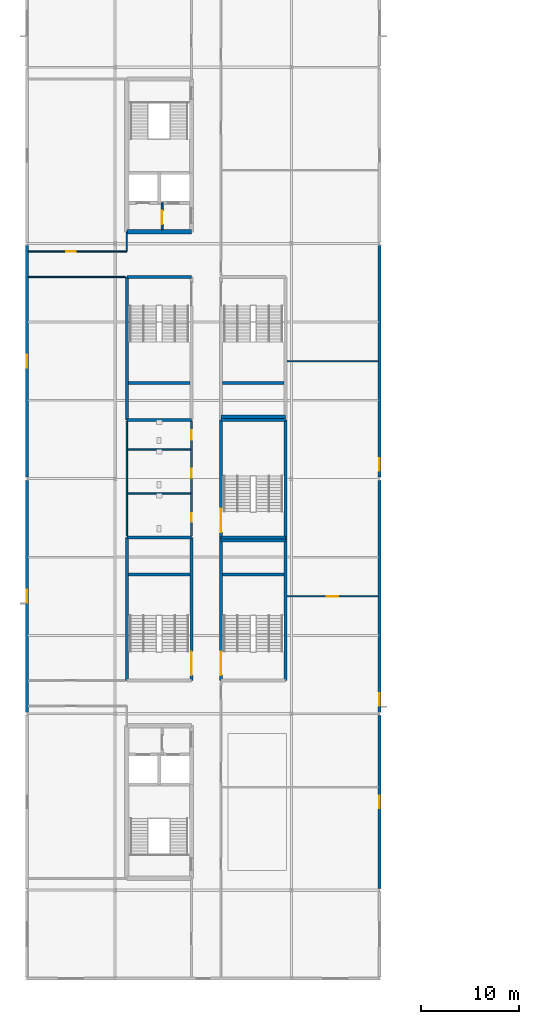
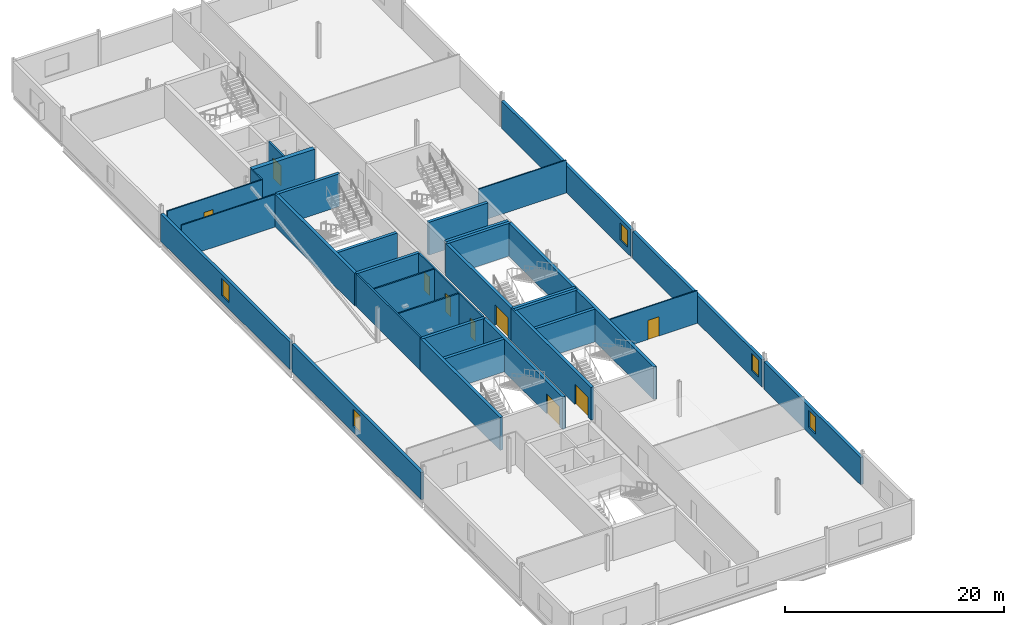
# One storey, part 12 of 27: 34 walls, 9 doors, 5 windows, 14 openings.
"""IFC4 building model written with IfcOpenShell, lengths in metres."""

import ifcopenshell
import ifcopenshell.guid

model = None  # the IFC model being written
_history = None  # IfcOwnerHistory: only IFC2X3 demands one
_inside = {}  # id of a spatial element -> (the spatial element, [elements in it])
_under = {}  # id of a project, library or spatial element -> (it, [spatial elements below it])
_declared = {}  # id of a project -> (the project, [libraries it declares])
_typed = {}  # id of a type object -> (the type object, [elements of that type])
_made_of = {}  # id of a material, layer set ... -> (it, [elements and type objects made of it])


def new_model(schema):
    """Start an empty IFC model of exactly this schema.

    Asked for "IFC4X3", IfcOpenShell would pick the latest addendum, in which some entities
    have other attributes; the version numbers below select the first issue.
    IFC2X3 requires an IfcOwnerHistory on every rooted entity: one is made here for all.
    """
    global model, _history
    if schema == "IFC4X3":
        model = ifcopenshell.file(schema_version=(4, 3, 0, 0))
    else:
        model = ifcopenshell.file(schema=schema)
    _inside.clear()
    _under.clear()
    _declared.clear()
    _typed.clear()
    _made_of.clear()
    _history = None
    if model.schema == "IFC2X3":
        org = make("IfcOrganization", Name="unknown")
        user = make(
            "IfcPersonAndOrganization",
            ThePerson=make("IfcPerson", FamilyName="unknown"),
            TheOrganization=org,
        )
        app = make(
            "IfcApplication",
            ApplicationDeveloper=org,
            Version="unknown",
            ApplicationFullName="unknown",
            ApplicationIdentifier="unknown",
        )
        _history = make(
            "IfcOwnerHistory",
            OwningUser=user,
            OwningApplication=app,
            ChangeAction="ADDED",
            CreationDate=0,
        )
    return model


def make(cls, **values):
    """One entity of the class cls with the attributes given. An attribute that is None is left unset."""
    return model.create_entity(
        cls, **{name: value for name, value in values.items() if value is not None}
    )


def rooted(cls, **values):
    """An entity with a GlobalId (a new one), such as an element, a storey or a relation."""
    return make(cls, GlobalId=ifcopenshell.guid.new(), OwnerHistory=_history, **values)


def si_unit(unit_type, name, prefix=None):
    """IfcSIUnit, for example si_unit("LENGTHUNIT", "METRE", prefix="MILLI")."""
    return make("IfcSIUnit", UnitType=unit_type, Prefix=prefix, Name=name)


def assignment(units):
    """IfcUnitAssignment: the units of a project."""
    return None if units is None else make("IfcUnitAssignment", Units=units)


def point(xyz):
    """IfcCartesianPoint."""
    return None if xyz is None else make("IfcCartesianPoint", Coordinates=xyz)


def direction(xyz):
    """IfcDirection."""
    return None if xyz is None else make("IfcDirection", DirectionRatios=xyz)


def frame(location, z_axis=None, x_axis=None):
    """IfcAxis2Placement3D, a coordinate frame: its origin and axes. An axis left out is left unset."""
    return make(
        "IfcAxis2Placement3D",
        Location=point(location),
        Axis=direction(z_axis),
        RefDirection=direction(x_axis),
    )


def frame_2d(location, x_axis=None):
    """IfcAxis2Placement2D, a coordinate frame in the plane: its origin and x axis."""
    return make(
        "IfcAxis2Placement2D", Location=point(location), RefDirection=direction(x_axis)
    )


def origin():
    """The frame at (0, 0, 0) with its axes left unset."""
    return frame((0.0, 0.0, 0.0))


def place(relative_to, where):
    """IfcLocalPlacement: puts the frame where relative to a parent placement (None: the world)."""
    return make(
        "IfcLocalPlacement", PlacementRelTo=relative_to, RelativePlacement=where
    )


def context(
    kind, dimensions, precision=None, world=None, true_north=None, identifier=None
):
    """IfcGeometricRepresentationContext, for example the 3D "Model" context."""
    return make(
        "IfcGeometricRepresentationContext",
        ContextIdentifier=identifier,
        ContextType=kind,
        CoordinateSpaceDimension=dimensions,
        Precision=precision,
        WorldCoordinateSystem=world,
        TrueNorth=true_north,
    )


def subcontext(parent, identifier, kind, view, scale=None):
    """IfcGeometricRepresentationSubContext, for example "Body" below "Model"."""
    return make(
        "IfcGeometricRepresentationSubContext",
        ContextIdentifier=identifier,
        ContextType=kind,
        ParentContext=parent,
        TargetScale=scale,
        TargetView=view,
    )


def project(units=None, contexts=None):
    """IfcProject with its units and contexts."""
    return rooted(
        "IfcProject",
        Name="project",
        RepresentationContexts=contexts,
        UnitsInContext=assignment(units),
    )


def spatial(cls, under=None, at=None, **own):
    """A site, building, storey or space (cls), placed at a placement, below another one or the project."""
    s = rooted(cls, ObjectPlacement=at, **own)
    if under is not None:
        _under.setdefault(under.id(), (under, []))[1].append(s)
    return s


def profile(cls, at=None, kind="AREA", **sizes):
    """A parametric profile (cls). Its sizes go by their IFC names, for example OverallWidth=200.0."""
    return make(cls, ProfileType=kind, Position=at, **sizes)


def rectangle(**sizes):
    """IfcRectangleProfileDef."""
    return profile("IfcRectangleProfileDef", **sizes)


def extrude(swept, where, along, depth):
    """IfcExtrudedAreaSolid: the profile swept, set in the frame where, extruded along a direction by depth."""
    return make(
        "IfcExtrudedAreaSolid",
        SweptArea=swept,
        Position=where,
        ExtrudedDirection=direction(along),
        Depth=depth,
    )


def shape(context_of_items, identifier, shape_type, items):
    """IfcShapeRepresentation: the items that make up one representation, for example the "Body"."""
    return make(
        "IfcShapeRepresentation",
        ContextOfItems=context_of_items,
        RepresentationIdentifier=identifier,
        RepresentationType=shape_type,
        Items=items,
    )


def material(Name=None, Category=None):
    """IfcMaterial."""
    return make("IfcMaterial", Name=Name, Category=Category)


def layer(
    of_material, thickness, ventilated=None, Name=None, Category=None, Priority=None
):
    """IfcMaterialLayer: one layer of a wall or slab, of a material (None: an air gap)."""
    return make(
        "IfcMaterialLayer",
        Material=of_material,
        LayerThickness=thickness,
        IsVentilated=ventilated,
        Name=Name,
        Category=Category,
        Priority=Priority,
    )


def layer_set(layers, Name=None):
    """IfcMaterialLayerSet."""
    return make("IfcMaterialLayerSet", MaterialLayers=layers, LayerSetName=Name)


def made_of(thing, what):
    """Note that an element or type object is made of a material, layer set ...; save() writes the relation."""
    if what is not None:
        _made_of.setdefault(what.id(), (what, []))[1].append(thing)
    return thing


def type_object(cls, material=None, **own):
    """A type object (cls), such as IfcWallType, which elements share."""
    return made_of(rooted(cls, **own), material)


def element(
    cls,
    number,
    at=None,
    inside=None,
    cuts=None,
    type_object=None,
    material=None,
    context=None,
    identifier="Body",
    shape_type=None,
    held_by="IfcProductDefinitionShape",
    body=None,
    shapes=None,
    **own,
):
    """One element of the class cls, such as IfcWall. Its Tag is "e" and its number.

    at: its placement. inside: the storey or other place that contains it. cuts: it is an
    opening in that element (IfcRelVoidsElement). A single representation is given by context,
    identifier, shape_type and body (its items); several are given by shapes. held_by: the class
    of the entity that holds the representations. save() writes the other relations.
    """
    e = rooted(cls, Tag="e%d" % number, ObjectPlacement=at, **own)
    if body is not None:
        shapes = [shape(context, identifier, shape_type, body)]
    if shapes is not None:
        e.Representation = make(held_by, Representations=shapes)
    if inside is not None:
        _inside.setdefault(inside.id(), (inside, []))[1].append(e)
    if cuts is not None:
        rooted(
            "IfcRelVoidsElement", RelatingBuildingElement=cuts, RelatedOpeningElement=e
        )
    if type_object is not None:
        _typed.setdefault(type_object.id(), (type_object, []))[1].append(e)
    return made_of(e, material)


def fill(opening, filler):
    """IfcRelFillsElement: the door or window that sits in an opening."""
    return rooted(
        "IfcRelFillsElement",
        RelatingOpeningElement=opening,
        RelatedBuildingElement=filler,
    )


def aggregate(whole, parts):
    """IfcRelAggregates: a whole, such as a stair, and the parts it consists of."""
    return rooted("IfcRelAggregates", RelatingObject=whole, RelatedObjects=parts)


def save(model, path):
    """Write the relations noted so far, then the file.

    IfcRelAggregates (storeys below a building ...), IfcRelContainedInSpatialStructure (elements
    in a storey), IfcRelDefinesByType, IfcRelAssociatesMaterial and IfcRelDeclares: one each for
    every whole, place, type object, material and project.
    """
    for whole, parts in _under.values():
        aggregate(whole, parts)
    for where, things in _inside.values():
        rooted(
            "IfcRelContainedInSpatialStructure",
            RelatedElements=things,
            RelatingStructure=where,
        )
    for kind, things in _typed.values():
        rooted("IfcRelDefinesByType", RelatedObjects=things, RelatingType=kind)
    for what, things in _made_of.values():
        rooted("IfcRelAssociatesMaterial", RelatedObjects=things, RelatingMaterial=what)
    for by, libraries in _declared.values():
        rooted("IfcRelDeclares", RelatingContext=by, RelatedDefinitions=libraries)
    model.write(path)


model = new_model("IFC4")

# Units and contexts
model_context = context("Model", 3, precision=1e-05, world=origin(), true_north=direction((0.0, 1.0)))
body_context = subcontext(model_context, "Body", "Model", "MODEL_VIEW")
ifc_project = project(units=[si_unit("LENGTHUNIT", "METRE"), si_unit("AREAUNIT", "SQUARE_METRE"), si_unit("VOLUMEUNIT", "CUBIC_METRE"), si_unit("PLANEANGLEUNIT", "RADIAN"), si_unit("MASSUNIT", "GRAM", prefix="KILO")], contexts=[model_context])

# Site, building, storey
site_placement = place(None, origin())
site = spatial("IfcSite", under=ifc_project, at=site_placement, CompositionType="ELEMENT")
building_placement = place(site_placement, origin())
building = spatial("IfcBuilding", under=site, at=building_placement, Name="Kisiwana Market Hall", CompositionType="ELEMENT")
storey_placement = place(building_placement, frame((0.0, 0.0, 41.699951171875)))
storey = spatial("IfcBuildingStorey", under=building, at=storey_placement, Name="L09", CompositionType="ELEMENT", Elevation=41.699951171875)

# Wall, opening, door
ifc_material_1 = material(Name="Masonry blockwork", Category="masonry")
ifc_layer_1 = layer(ifc_material_1, 0.199951171875, Name="Plastered fire compartment block wall")
ifc_layer_set_1 = layer_set([ifc_layer_1], Name="WL-COMP-200")
wall_type_1 = type_object("IfcWallType", Name="WL-COMP-200", PredefinedType="PARTITIONING", material=ifc_layer_set_1)
wall_1_placement = place(storey_placement, frame((13.800048828125, 85.425048828125, 0.0), z_axis=(0.0, 0.0, 1.0), x_axis=(0.0, 1.0, 0.0)))
wall_1 = element("IfcWall", 1, at=wall_1_placement, inside=storey, type_object=wall_type_1, Name="Core W1 firefighting lobby wall W-2544", PredefinedType="PARTITIONING", context=body_context, shape_type="SweptSolid", body=[
    extrude(rectangle(XDim=2.72998046875, YDim=0.199951171875, at=frame_2d((1.364990234375, 0.0))), origin(), (0.0, 0.0, 1.0), 3.655029296875),
])
opening_1_placement = place(wall_1_placement, frame((0.550048828125, 0.0, 0.0)))
opening_1 = element("IfcOpeningElement", 2, at=opening_1_placement, cuts=wall_1, Name="Opening DR-L09-006", PredefinedType="OPENING", context=body_context, shape_type="SweptSolid", body=[
    extrude(rectangle(XDim=1.39990234375, YDim=2.25, at=frame_2d((0.699951171875, 1.125))), frame((0.0, 0.11181640625, 0.0), z_axis=(0.0, -1.0, 0.0), x_axis=(1.0, 0.0, 0.0)), (0.0, 0.0, 1.0), 0.223876953125),
])
ifc_material_2 = material(Name="Steel S275", Category="steel")
door_type_1 = type_object("IfcDoorType", Name="DR-FFLOB-FD120-1400", OperationType="DOUBLE_DOOR_SINGLE_SWING", PredefinedType="DOOR", material=ifc_material_2)
door_1_placement = place(opening_1_placement, frame((1.39990234375, 0.0, 0.0), z_axis=(0.0, 0.0, 1.0), x_axis=(-1.0, 0.0, 0.0)))
door_1 = element("IfcDoor", 3, at=door_1_placement, inside=storey, type_object=door_type_1, Name="Firefighting Lift Lobby W1 Door (L09)", OperationType="DOUBLE_DOOR_SINGLE_SWING", OverallHeight=2.25, OverallWidth=1.39990234375, PredefinedType="DOOR", context=body_context, shape_type="SweptSolid", body=[
    extrude(rectangle(XDim=1.39990234375, YDim=2.25, at=frame_2d((0.699951171875, 1.125))), frame((0.0, 0.02490234375, 0.0), z_axis=(0.0, -1.0, 0.0), x_axis=(1.0, 0.0, 0.0)), (0.0, 0.0, 1.0), 0.050048828125),
])
fill(opening_1, door_1)

# Walls
ifc_material_3 = material(Name="Concrete C40/50", Category="concrete")
ifc_layer_2 = layer(ifc_material_3, 0.320068359375, Name="Reinforced concrete shaft wall")
ifc_layer_set_2 = layer_set([ifc_layer_2], Name="WL-CORE-320")
wall_type_2 = type_object("IfcWallType", Name="WL-CORE-320", PredefinedType="SHEAR", material=ifc_layer_set_2)
wall_2_placement = place(storey_placement, frame((10.199951171875, 54.0, 0.0), z_axis=(0.0, 0.0, 1.0), x_axis=(1.0, 0.0, 0.0)))
element("IfcWall", 4, at=wall_2_placement, inside=storey, type_object=wall_type_2, Name="Core W3 north shear wall W-2460", PredefinedType="SHEAR", context=body_context, shape_type="SweptSolid", body=[
    extrude(rectangle(XDim=6.60009765625, YDim=0.320068359375, at=frame_2d((3.300048828125, 0.0))), origin(), (0.0, 0.0, 1.0), 3.655029296875),
])
wall_3_placement = place(storey_placement, frame((10.199951171875, 39.39990234375, 0.0), z_axis=(0.0, 0.0, 1.0), x_axis=(0.0, 1.0, 0.0)))
element("IfcWall", 5, at=wall_3_placement, inside=storey, type_object=wall_type_2, Name="Core W3 outer shear wall W-2461", PredefinedType="SHEAR", context=body_context, shape_type="SweptSolid", body=[
    extrude(rectangle(XDim=14.60009765625, YDim=0.320068359375, at=frame_2d((7.300048828125, 0.0))), origin(), (0.0, 0.0, 1.0), 3.655029296875),
])

# Wall, opening, door
wall_4_placement = place(storey_placement, frame((16.800048828125, 39.39990234375, 0.0), z_axis=(0.0, 0.0, 1.0), x_axis=(0.0, 1.0, 0.0)))
wall_4 = element("IfcWall", 6, at=wall_4_placement, inside=storey, type_object=wall_type_2, Name="Core W3 corridor shear wall W-2462", PredefinedType="SHEAR", context=body_context, shape_type="SweptSolid", body=[
    extrude(rectangle(XDim=14.60009765625, YDim=0.320068359375, at=frame_2d((7.300048828125, 0.0))), origin(), (0.0, 0.0, 1.0), 3.655029296875),
])
opening_2_placement = place(wall_4_placement, frame((0.550048828125, 0.0, 0.0)))
opening_2 = element("IfcOpeningElement", 7, at=opening_2_placement, cuts=wall_4, Name="Opening DR-L09-013", PredefinedType="OPENING", context=body_context, shape_type="SweptSolid", body=[
    extrude(rectangle(XDim=2.39990234375, YDim=2.25, at=frame_2d((1.199951171875, 1.125))), frame((0.0, 0.171875, 0.0), z_axis=(0.0, -1.0, 0.0), x_axis=(1.0, 0.0, 0.0)), (0.0, 0.0, 1.0), 0.343994140625),
])
ifc_material_4 = material(Name="Steel S275", Category="steel")
door_type_2 = type_object("IfcDoorType", Name="DR-STAIR-FD120-2400", OperationType="DOUBLE_DOOR_SINGLE_SWING", PredefinedType="DOOR", material=ifc_material_4)
door_2_placement = place(opening_2_placement, origin())
door_2 = element("IfcDoor", 8, at=door_2_placement, inside=storey, type_object=door_type_2, Name="Escape Stair W3 Fire Door (L09)", OperationType="DOUBLE_DOOR_SINGLE_SWING", OverallHeight=2.25, OverallWidth=2.39990234375, PredefinedType="DOOR", context=body_context, shape_type="SweptSolid", body=[
    extrude(rectangle(XDim=2.39990234375, YDim=2.25, at=frame_2d((1.199951171875, 1.125))), frame((0.0, 0.02490234375, 0.0), z_axis=(0.0, -1.0, 0.0), x_axis=(1.0, 0.0, 0.0)), (0.0, 0.0, 1.0), 0.050048828125),
])
fill(opening_2, door_2)

# Walls
wall_5_placement = place(storey_placement, frame((10.360107421875, 50.219970703125, 0.0), z_axis=(0.0, 0.0, 1.0), x_axis=(1.0, 0.0, 0.0)))
element("IfcWall", 9, at=wall_5_placement, inside=storey, type_object=wall_type_2, Name="Core W3 riser divider shear wall W-2463", PredefinedType="SHEAR", context=body_context, shape_type="SweptSolid", body=[
    extrude(rectangle(XDim=6.27978515625, YDim=0.320068359375, at=frame_2d((3.139892578125, 0.0))), origin(), (0.0, 0.0, 1.0), 3.655029296875),
])
for number, where, z_axis, x_axis, name in (
    (10, (10.199951171875, 66.0, 0.0), (0.0, 0.0, 1.0), (1.0, 0.0, 0.0), "Core W4 south shear wall W-2464"),
    (11, (10.199951171875, 80.60009765625, 0.0), (0.0, 0.0, 1.0), (1.0, 0.0, 0.0), "Core W4 north shear wall W-2465"),
):
    element("IfcWall", number, at=place(storey_placement, frame(where, z_axis=z_axis, x_axis=x_axis)), inside=storey, type_object=wall_type_2, Name=name, PredefinedType="SHEAR", context=body_context, shape_type="SweptSolid", body=[
        extrude(rectangle(XDim=6.60009765625, YDim=0.320068359375, at=frame_2d((3.300048828125, 0.0))), origin(), (0.0, 0.0, 1.0), 3.655029296875),
    ])
wall_6_placement = place(storey_placement, frame((10.199951171875, 66.0, 0.0), z_axis=(0.0, 0.0, 1.0), x_axis=(0.0, 1.0, 0.0)))
element("IfcWall", 12, at=wall_6_placement, inside=storey, type_object=wall_type_2, Name="Core W4 outer shear wall W-2466", PredefinedType="SHEAR", context=body_context, shape_type="SweptSolid", body=[
    extrude(rectangle(XDim=14.60009765625, YDim=0.320068359375, at=frame_2d((7.300048828125, 0.0))), origin(), (0.0, 0.0, 1.0), 3.655029296875),
])
wall_7_placement = place(storey_placement, frame((10.360107421875, 69.780029296875, 0.0), z_axis=(0.0, 0.0, 1.0), x_axis=(1.0, 0.0, 0.0)))
element("IfcWall", 13, at=wall_7_placement, inside=storey, type_object=wall_type_2, Name="Core W4 riser divider shear wall W-2468", PredefinedType="SHEAR", context=body_context, shape_type="SweptSolid", body=[
    extrude(rectangle(XDim=6.27978515625, YDim=0.320068359375, at=frame_2d((3.139892578125, 0.0))), origin(), (0.0, 0.0, 1.0), 3.655029296875),
])
wall_8_placement = place(storey_placement, frame((19.800048828125, 54.0, 0.0), z_axis=(0.0, 0.0, 1.0), x_axis=(1.0, 0.0, 0.0)))
element("IfcWall", 14, at=wall_8_placement, inside=storey, type_object=wall_type_2, Name="Core W7 north shear wall W-2480", PredefinedType="SHEAR", context=body_context, shape_type="SweptSolid", body=[
    extrude(rectangle(XDim=6.599853515625, YDim=0.320068359375, at=frame_2d((3.2998046875, 0.0))), origin(), (0.0, 0.0, 1.0), 3.655029296875),
])

# Wall, opening, door
wall_9_placement = place(storey_placement, frame((19.800048828125, 39.39990234375, 0.0), z_axis=(0.0, 0.0, 1.0), x_axis=(0.0, 1.0, 0.0)))
wall_9 = element("IfcWall", 15, at=wall_9_placement, inside=storey, type_object=wall_type_2, Name="Core W7 corridor shear wall W-2481", PredefinedType="SHEAR", context=body_context, shape_type="SweptSolid", body=[
    extrude(rectangle(XDim=14.60009765625, YDim=0.320068359375, at=frame_2d((7.300048828125, 0.0))), origin(), (0.0, 0.0, 1.0), 3.655029296875),
])
opening_3_placement = place(wall_9_placement, frame((0.550048828125, 0.0, 0.0)))
opening_3 = element("IfcOpeningElement", 16, at=opening_3_placement, cuts=wall_9, Name="Opening DR-L09-017", PredefinedType="OPENING", context=body_context, shape_type="SweptSolid", body=[
    extrude(rectangle(XDim=2.39990234375, YDim=2.25, at=frame_2d((1.199951171875, 1.125))), frame((0.0, 0.171875, 0.0), z_axis=(0.0, -1.0, 0.0), x_axis=(1.0, 0.0, 0.0)), (0.0, 0.0, 1.0), 0.343994140625),
])
door_3_placement = place(opening_3_placement, frame((2.39990234375, 0.0, 0.0), z_axis=(0.0, 0.0, 1.0), x_axis=(-1.0, 0.0, 0.0)))
door_3 = element("IfcDoor", 17, at=door_3_placement, inside=storey, type_object=door_type_2, Name="Escape Stair W7 Fire Door (L09)", OperationType="DOUBLE_DOOR_SINGLE_SWING", OverallHeight=2.25, OverallWidth=2.39990234375, PredefinedType="DOOR", context=body_context, shape_type="SweptSolid", body=[
    extrude(rectangle(XDim=2.39990234375, YDim=2.25, at=frame_2d((1.199951171875, 1.125))), frame((0.0, 0.02490234375, 0.0), z_axis=(0.0, -1.0, 0.0), x_axis=(1.0, 0.0, 0.0)), (0.0, 0.0, 1.0), 0.050048828125),
])
fill(opening_3, door_3)

# Walls
wall_10_placement = place(storey_placement, frame((26.39990234375, 39.39990234375, 0.0), z_axis=(0.0, 0.0, 1.0), x_axis=(0.0, 1.0, 0.0)))
element("IfcWall", 18, at=wall_10_placement, inside=storey, type_object=wall_type_2, Name="Core W7 outer shear wall W-2482", PredefinedType="SHEAR", context=body_context, shape_type="SweptSolid", body=[
    extrude(rectangle(XDim=14.60009765625, YDim=0.320068359375, at=frame_2d((7.300048828125, 0.0))), origin(), (0.0, 0.0, 1.0), 3.655029296875),
])
wall_11_placement = place(storey_placement, frame((19.9599609375, 50.219970703125, 0.0), z_axis=(0.0, 0.0, 1.0), x_axis=(1.0, 0.0, 0.0)))
element("IfcWall", 19, at=wall_11_placement, inside=storey, type_object=wall_type_2, Name="Core W7 riser divider shear wall W-2483", PredefinedType="SHEAR", context=body_context, shape_type="SweptSolid", body=[
    extrude(rectangle(XDim=6.280029296875, YDim=0.320068359375, at=frame_2d((3.14013671875, 0.0))), origin(), (0.0, 0.0, 1.0), 3.655029296875),
])
wall_12_placement = place(storey_placement, frame((19.800048828125, 66.0, 0.0), z_axis=(0.0, 0.0, 1.0), x_axis=(1.0, 0.0, 0.0)))
element("IfcWall", 20, at=wall_12_placement, inside=storey, type_object=wall_type_2, Name="Core W8 south shear wall W-2489", PredefinedType="SHEAR", context=body_context, shape_type="SweptSolid", body=[
    extrude(rectangle(XDim=6.599853515625, YDim=0.320068359375, at=frame_2d((3.2998046875, 0.0))), origin(), (0.0, 0.0, 1.0), 3.655029296875),
])
wall_13_placement = place(storey_placement, frame((19.9599609375, 69.780029296875, 0.0), z_axis=(0.0, 0.0, 1.0), x_axis=(1.0, 0.0, 0.0)))
element("IfcWall", 21, at=wall_13_placement, inside=storey, type_object=wall_type_2, Name="Core W8 riser divider shear wall W-2493", PredefinedType="SHEAR", context=body_context, shape_type="SweptSolid", body=[
    extrude(rectangle(XDim=6.280029296875, YDim=0.320068359375, at=frame_2d((3.14013671875, 0.0))), origin(), (0.0, 0.0, 1.0), 3.655029296875),
])
for number, where, z_axis, x_axis, name in (
    (22, (19.800048828125, 53.679931640625, 0.0), (0.0, 0.0, 1.0), (1.0, 0.0, 0.0), "Core W5 south shear wall W-2499"),
    (23, (19.800048828125, 66.320068359375, 0.0), (0.0, 0.0, 1.0), (1.0, 0.0, 0.0), "Core W5 north shear wall W-2500"),
):
    element("IfcWall", number, at=place(storey_placement, frame(where, z_axis=z_axis, x_axis=x_axis)), inside=storey, type_object=wall_type_2, Name=name, PredefinedType="SHEAR", context=body_context, shape_type="SweptSolid", body=[
        extrude(rectangle(XDim=6.599853515625, YDim=0.320068359375, at=frame_2d((3.2998046875, 0.0))), origin(), (0.0, 0.0, 1.0), 3.655029296875),
    ])

# Wall, opening, door
wall_14_placement = place(storey_placement, frame((19.800048828125, 54.0, 0.0), z_axis=(0.0, 0.0, 1.0), x_axis=(0.0, 1.0, 0.0)))
wall_14 = element("IfcWall", 24, at=wall_14_placement, inside=storey, type_object=wall_type_2, Name="Core W5 corridor shear wall W-2501", PredefinedType="SHEAR", context=body_context, shape_type="SweptSolid", body=[
    extrude(rectangle(XDim=12.0, YDim=0.320068359375, at=frame_2d((6.0, 0.0))), origin(), (0.0, 0.0, 1.0), 3.655029296875),
])
opening_4_placement = place(wall_14_placement, frame((0.550048828125, 0.0, 0.0)))
opening_4 = element("IfcOpeningElement", 25, at=opening_4_placement, cuts=wall_14, Name="Opening DR-L09-021", PredefinedType="OPENING", context=body_context, shape_type="SweptSolid", body=[
    extrude(rectangle(XDim=2.39990234375, YDim=2.25, at=frame_2d((1.199951171875, 1.125))), frame((0.0, 0.171875, 0.0), z_axis=(0.0, -1.0, 0.0), x_axis=(1.0, 0.0, 0.0)), (0.0, 0.0, 1.0), 0.343994140625),
])
door_4_placement = place(opening_4_placement, frame((2.39990234375, 0.0, 0.0), z_axis=(0.0, 0.0, 1.0), x_axis=(-1.0, 0.0, 0.0)))
door_4 = element("IfcDoor", 26, at=door_4_placement, inside=storey, type_object=door_type_2, Name="Escape Stair W5 Fire Door (L09)", OperationType="DOUBLE_DOOR_SINGLE_SWING", OverallHeight=2.25, OverallWidth=2.39990234375, PredefinedType="DOOR", context=body_context, shape_type="SweptSolid", body=[
    extrude(rectangle(XDim=2.39990234375, YDim=2.25, at=frame_2d((1.199951171875, 1.125))), frame((0.0, 0.02490234375, 0.0), z_axis=(0.0, -1.0, 0.0), x_axis=(1.0, 0.0, 0.0)), (0.0, 0.0, 1.0), 0.050048828125),
])
fill(opening_4, door_4)

# Walls
wall_15_placement = place(storey_placement, frame((26.39990234375, 54.0, 0.0), z_axis=(0.0, 0.0, 1.0), x_axis=(0.0, 1.0, 0.0)))
element("IfcWall", 27, at=wall_15_placement, inside=storey, type_object=wall_type_2, Name="Core W5 outer shear wall W-2502", PredefinedType="SHEAR", context=body_context, shape_type="SweptSolid", body=[
    extrude(rectangle(XDim=12.0, YDim=0.320068359375, at=frame_2d((6.0, 0.0))), origin(), (0.0, 0.0, 1.0), 3.655029296875),
])
ifc_material_5 = material(Name="Concrete C40/50", Category="concrete")
ifc_layer_3 = layer(ifc_material_5, 0.449951171875, Name="Reinforced concrete core wall")
ifc_layer_set_3 = layer_set([ifc_layer_3], Name="WL-CORE-450")
wall_type_3 = type_object("IfcWallType", Name="WL-CORE-450", PredefinedType="SHEAR", material=ifc_layer_set_3)
wall_16_placement = place(storey_placement, frame((10.199951171875, 85.199951171875, 0.0), z_axis=(0.0, 0.0, 1.0), x_axis=(1.0, 0.0, 0.0)))
element("IfcWall", 28, at=wall_16_placement, inside=storey, type_object=wall_type_3, Name="Core W1 south shear wall W-2432", PredefinedType="SHEAR", context=body_context, shape_type="SweptSolid", body=[
    extrude(rectangle(XDim=6.60009765625, YDim=0.449951171875, at=frame_2d((3.300048828125, 0.0))), origin(), (0.0, 0.0, 1.0), 3.655029296875),
])
ifc_material_6 = material(Name="Masonry blockwork", Category="masonry")
ifc_layer_4 = layer(ifc_material_6, 0.169921875, Name="Protected corridor partition")
ifc_layer_set_4 = layer_set([ifc_layer_4], Name="WL-CORR-170")
wall_type_4 = type_object("IfcWallType", Name="WL-CORR-170", PredefinedType="PARTITIONING", material=ifc_layer_set_4)
wall_17_placement = place(storey_placement, frame((10.199951171875, 54.159912109375, 0.0), z_axis=(0.0, 0.0, 1.0), x_axis=(0.0, 1.0, 0.0)))
element("IfcWall", 29, at=wall_17_placement, inside=storey, type_object=wall_type_4, Name="Interior partition W-2547", PredefinedType="PARTITIONING", context=body_context, shape_type="SweptSolid", body=[
    extrude(rectangle(XDim=11.68017578125, YDim=0.169921875, at=frame_2d((5.840087890625, 0.0))), origin(), (0.0, 0.0, 1.0), 3.655029296875),
])

# Wall, openings, doors
wall_18_placement = place(storey_placement, frame((16.800048828125, 54.159912109375, 0.0), z_axis=(0.0, 0.0, 1.0), x_axis=(0.0, 1.0, 0.0)))
wall_18 = element("IfcWall", 30, at=wall_18_placement, inside=storey, type_object=wall_type_4, Name="Interior partition W-2548", PredefinedType="PARTITIONING", context=body_context, shape_type="SweptSolid", body=[
    extrude(rectangle(XDim=11.68017578125, YDim=0.169921875, at=frame_2d((5.840087890625, 0.0))), origin(), (0.0, 0.0, 1.0), 3.655029296875),
])
opening_5_placement = place(wall_18_placement, frame((1.43994140625, 0.0, 0.0)))
opening_5 = element("IfcOpeningElement", 31, at=opening_5_placement, cuts=wall_18, Name="Opening DR-L09-023", PredefinedType="OPENING", context=body_context, shape_type="SweptSolid", body=[
    extrude(rectangle(XDim=0.89990234375, YDim=2.10009765625, at=frame_2d((0.449951171875, 1.050048828125))), frame((0.0, 0.096923828125, 0.0), z_axis=(0.0, -1.0, 0.0), x_axis=(1.0, 0.0, 0.0)), (0.0, 0.0, 1.0), 0.19384765625),
])
opening_6_placement = place(wall_18_placement, frame((5.93994140625, 0.0, 0.0)))
opening_6 = element("IfcOpeningElement", 32, at=opening_6_placement, cuts=wall_18, Name="Opening DR-L09-024", PredefinedType="OPENING", context=body_context, shape_type="SweptSolid", body=[
    extrude(rectangle(XDim=0.89990234375, YDim=2.10009765625, at=frame_2d((0.449951171875, 1.050048828125))), frame((0.0, 0.096923828125, 0.0), z_axis=(0.0, -1.0, 0.0), x_axis=(1.0, 0.0, 0.0)), (0.0, 0.0, 1.0), 0.19384765625),
])
opening_7_placement = place(wall_18_placement, frame((9.840087890625, 0.0, 0.0)))
opening_7 = element("IfcOpeningElement", 33, at=opening_7_placement, cuts=wall_18, Name="Opening DR-L09-025", PredefinedType="OPENING", context=body_context, shape_type="SweptSolid", body=[
    extrude(rectangle(XDim=0.949951171875, YDim=2.10009765625, at=frame_2d((0.47509765625, 1.050048828125))), frame((0.0, 0.096923828125, 0.0), z_axis=(0.0, -1.0, 0.0), x_axis=(1.0, 0.0, 0.0)), (0.0, 0.0, 1.0), 0.19384765625),
])
ifc_material_7 = material(Name="Aluminium alloy 6063-T6", Category="aluminium")
door_type_3 = type_object("IfcDoorType", Name="DR-WC-ACC-950", OperationType="NOTDEFINED", PredefinedType="DOOR", material=ifc_material_7)
door_5_placement = place(opening_7_placement, origin())
door_5 = element("IfcDoor", 34, at=door_5_placement, inside=storey, type_object=door_type_3, Name="L09 W Accessible WC Door", OperationType="SINGLE_SWING_RIGHT", OverallHeight=2.10009765625, OverallWidth=0.949951171875, PredefinedType="DOOR", context=body_context, shape_type="SweptSolid", body=[
    extrude(rectangle(XDim=0.949951171875, YDim=2.10009765625, at=frame_2d((0.47509765625, 1.050048828125))), frame((0.0, 0.02490234375, 0.0), z_axis=(0.0, -1.0, 0.0), x_axis=(1.0, 0.0, 0.0)), (0.0, 0.0, 1.0), 0.050048828125),
])
fill(opening_7, door_5)
ifc_material_8 = material(Name="Aluminium alloy 6063-T6", Category="aluminium")
door_type_4 = type_object("IfcDoorType", Name="DR-WC-STD-900", OperationType="NOTDEFINED", PredefinedType="DOOR", material=ifc_material_8)
door_6_placement = place(opening_5_placement, origin())
door_6 = element("IfcDoor", 35, at=door_6_placement, inside=storey, type_object=door_type_4, Name="L09 W Male Toilet Door", OperationType="SINGLE_SWING_LEFT", OverallHeight=2.10009765625, OverallWidth=0.89990234375, PredefinedType="DOOR", context=body_context, shape_type="SweptSolid", body=[
    extrude(rectangle(XDim=0.89990234375, YDim=2.10009765625, at=frame_2d((0.449951171875, 1.050048828125))), frame((0.0, 0.02490234375, 0.0), z_axis=(0.0, -1.0, 0.0), x_axis=(1.0, 0.0, 0.0)), (0.0, 0.0, 1.0), 0.050048828125),
])
fill(opening_5, door_6)
door_7_placement = place(opening_6_placement, origin())
door_7 = element("IfcDoor", 36, at=door_7_placement, inside=storey, type_object=door_type_4, Name="L09 W Female Toilet Door", OperationType="SINGLE_SWING_RIGHT", OverallHeight=2.10009765625, OverallWidth=0.89990234375, PredefinedType="DOOR", context=body_context, shape_type="SweptSolid", body=[
    extrude(rectangle(XDim=0.89990234375, YDim=2.10009765625, at=frame_2d((0.449951171875, 1.050048828125))), frame((0.0, 0.02490234375, 0.0), z_axis=(0.0, -1.0, 0.0), x_axis=(1.0, 0.0, 0.0)), (0.0, 0.0, 1.0), 0.050048828125),
])
fill(opening_6, door_7)

# Wall, opening, window
ifc_material_9 = material(Name="Concrete C40/50 precast", Category="concrete")
ifc_layer_5 = layer(ifc_material_9, 0.31494140625)
ifc_layer_set_5 = layer_set([ifc_layer_5], Name="WL-EXT-315")
wall_type_5 = type_object("IfcWallType", Name="WL-EXT-315", PredefinedType="STANDARD", material=ifc_layer_set_5)
wall_19_placement = place(storey_placement, frame((0.0, 36.159423828125, 0.0), z_axis=(0.0, 0.0, 1.0), x_axis=(0.0, 1.0, 0.0)))
wall_19 = element("IfcWall", 37, at=wall_19_placement, inside=storey, type_object=wall_type_5, Name="Exterior wall W-2521", PredefinedType="STANDARD", context=body_context, shape_type="SweptSolid", body=[
    extrude(rectangle(XDim=23.68115234375, YDim=0.31494140625, at=frame_2d((11.840576171875, 0.0))), origin(), (0.0, 0.0, 1.0), 3.04296875),
])
opening_8_placement = place(wall_19_placement, frame((11.190673828125, 0.0, 0.699951171875)))
opening_8 = element("IfcOpeningElement", 38, at=opening_8_placement, cuts=wall_19, Name="Opening WN-08", PredefinedType="OPENING", context=body_context, shape_type="SweptSolid", body=[
    extrude(rectangle(XDim=1.300048828125, YDim=1.89990234375, at=frame_2d((0.64990234375, 0.949951171875))), frame((0.0, 0.16943359375, 0.0), z_axis=(0.0, -1.0, 0.0), x_axis=(1.0, 0.0, 0.0)), (0.0, 0.0, 1.0), 0.3388671875),
])
ifc_material_10 = material(Name="Double-glazed solar-control low-E IGU", Category="glass")
window_type = type_object("IfcWindowType", Name="WN-OFFB-1300x1900", PartitioningType="SINGLE_PANEL", PredefinedType="WINDOW", material=ifc_material_10)
window_1_placement = place(opening_8_placement, origin())
window_1 = element("IfcWindow", 39, at=window_1_placement, inside=storey, type_object=window_type, Name="Exterior window WN-263", OverallHeight=1.89990234375, OverallWidth=1.300048828125, PartitioningType="SINGLE_PANEL", PredefinedType="WINDOW", context=body_context, shape_type="SweptSolid", body=[
    extrude(rectangle(XDim=1.300048828125, YDim=1.89990234375, at=frame_2d((0.64990234375, 0.949951171875))), frame((0.0, 0.030029296875, 0.0), z_axis=(0.0, -1.0, 0.0), x_axis=(1.0, 0.0, 0.0)), (0.0, 0.0, 1.0), 0.06005859375),
])
fill(opening_8, window_1)

wall_20_placement = place(storey_placement, frame((0.0, 60.159423828125, 0.0), z_axis=(0.0, 0.0, 1.0), x_axis=(0.0, 1.0, 0.0)))
wall_20 = element("IfcWall", 40, at=wall_20_placement, inside=storey, type_object=wall_type_5, Name="Exterior wall W-2522", PredefinedType="STANDARD", context=body_context, shape_type="SweptSolid", body=[
    extrude(rectangle(XDim=23.68115234375, YDim=0.31494140625, at=frame_2d((11.840576171875, 0.0))), origin(), (0.0, 0.0, 1.0), 3.04296875),
])
opening_9_placement = place(wall_20_placement, frame((11.190673828125, 0.0, 0.699951171875)))
opening_9 = element("IfcOpeningElement", 41, at=opening_9_placement, cuts=wall_20, Name="Opening WN-08", PredefinedType="OPENING", context=body_context, shape_type="SweptSolid", body=[
    extrude(rectangle(XDim=1.300048828125, YDim=1.89990234375, at=frame_2d((0.64990234375, 0.949951171875))), frame((0.0, 0.16943359375, 0.0), z_axis=(0.0, -1.0, 0.0), x_axis=(1.0, 0.0, 0.0)), (0.0, 0.0, 1.0), 0.3388671875),
])
window_2_placement = place(opening_9_placement, origin())
window_2 = element("IfcWindow", 42, at=window_2_placement, inside=storey, type_object=window_type, Name="Exterior window WN-264", OverallHeight=1.89990234375, OverallWidth=1.300048828125, PartitioningType="SINGLE_PANEL", PredefinedType="WINDOW", context=body_context, shape_type="SweptSolid", body=[
    extrude(rectangle(XDim=1.300048828125, YDim=1.89990234375, at=frame_2d((0.64990234375, 0.949951171875))), frame((0.0, 0.030029296875, 0.0), z_axis=(0.0, -1.0, 0.0), x_axis=(1.0, 0.0, 0.0)), (0.0, 0.0, 1.0), 0.06005859375),
])
fill(opening_9, window_2)

wall_21_placement = place(storey_placement, frame((36.0, 18.159423828125, 0.0), z_axis=(0.0, 0.0, 1.0), x_axis=(0.0, 1.0, 0.0)))
wall_21 = element("IfcWall", 43, at=wall_21_placement, inside=storey, type_object=wall_type_5, Name="Exterior wall W-2526", PredefinedType="STANDARD", context=body_context, shape_type="SweptSolid", body=[
    extrude(rectangle(XDim=17.68115234375, YDim=0.31494140625, at=frame_2d((8.840576171875, 0.0))), origin(), (0.0, 0.0, 1.0), 3.04296875),
])
opening_10_placement = place(wall_21_placement, frame((8.190673828125, 0.0, 0.699951171875)))
opening_10 = element("IfcOpeningElement", 44, at=opening_10_placement, cuts=wall_21, Name="Opening WN-08", PredefinedType="OPENING", context=body_context, shape_type="SweptSolid", body=[
    extrude(rectangle(XDim=1.300048828125, YDim=1.89990234375, at=frame_2d((0.64990234375, 0.949951171875))), frame((0.0, 0.16943359375, 0.0), z_axis=(0.0, -1.0, 0.0), x_axis=(1.0, 0.0, 0.0)), (0.0, 0.0, 1.0), 0.3388671875),
])
window_3_placement = place(opening_10_placement, origin())
window_3 = element("IfcWindow", 45, at=window_3_placement, inside=storey, type_object=window_type, Name="Exterior window WN-266", OverallHeight=1.89990234375, OverallWidth=1.300048828125, PartitioningType="SINGLE_PANEL", PredefinedType="WINDOW", context=body_context, shape_type="SweptSolid", body=[
    extrude(rectangle(XDim=1.300048828125, YDim=1.89990234375, at=frame_2d((0.64990234375, 0.949951171875))), frame((0.0, 0.030029296875, 0.0), z_axis=(0.0, -1.0, 0.0), x_axis=(1.0, 0.0, 0.0)), (0.0, 0.0, 1.0), 0.06005859375),
])
fill(opening_10, window_3)

wall_22_placement = place(storey_placement, frame((36.0, 36.159423828125, 0.0), z_axis=(0.0, 0.0, 1.0), x_axis=(0.0, 1.0, 0.0)))
wall_22 = element("IfcWall", 46, at=wall_22_placement, inside=storey, type_object=wall_type_5, Name="Exterior wall W-2527", PredefinedType="STANDARD", context=body_context, shape_type="SweptSolid", body=[
    extrude(rectangle(XDim=23.68115234375, YDim=0.31494140625, at=frame_2d((11.840576171875, 0.0))), origin(), (0.0, 0.0, 1.0), 3.04296875),
])
opening_11_placement = place(wall_22_placement, frame((0.64990234375, 0.0, 0.699951171875)))
opening_11 = element("IfcOpeningElement", 47, at=opening_11_placement, cuts=wall_22, Name="Opening WN-08", PredefinedType="OPENING", context=body_context, shape_type="SweptSolid", body=[
    extrude(rectangle(XDim=1.300048828125, YDim=1.89990234375, at=frame_2d((0.64990234375, 0.949951171875))), frame((0.0, 0.16943359375, 0.0), z_axis=(0.0, -1.0, 0.0), x_axis=(1.0, 0.0, 0.0)), (0.0, 0.0, 1.0), 0.3388671875),
])
window_4_placement = place(opening_11_placement, origin())
window_4 = element("IfcWindow", 48, at=window_4_placement, inside=storey, type_object=window_type, Name="Exterior window WN-267", OverallHeight=1.89990234375, OverallWidth=1.300048828125, PartitioningType="SINGLE_PANEL", PredefinedType="WINDOW", context=body_context, shape_type="SweptSolid", body=[
    extrude(rectangle(XDim=1.300048828125, YDim=1.89990234375, at=frame_2d((0.64990234375, 0.949951171875))), frame((0.0, 0.030029296875, 0.0), z_axis=(0.0, -1.0, 0.0), x_axis=(1.0, 0.0, 0.0)), (0.0, 0.0, 1.0), 0.06005859375),
])
fill(opening_11, window_4)

wall_23_placement = place(storey_placement, frame((36.0, 60.159423828125, 0.0), z_axis=(0.0, 0.0, 1.0), x_axis=(0.0, 1.0, 0.0)))
wall_23 = element("IfcWall", 49, at=wall_23_placement, inside=storey, type_object=wall_type_5, Name="Exterior wall W-2528", PredefinedType="STANDARD", context=body_context, shape_type="SweptSolid", body=[
    extrude(rectangle(XDim=23.68115234375, YDim=0.31494140625, at=frame_2d((11.840576171875, 0.0))), origin(), (0.0, 0.0, 1.0), 3.04296875),
])
opening_12_placement = place(wall_23_placement, frame((0.64990234375, 0.0, 0.699951171875)))
opening_12 = element("IfcOpeningElement", 50, at=opening_12_placement, cuts=wall_23, Name="Opening WN-08", PredefinedType="OPENING", context=body_context, shape_type="SweptSolid", body=[
    extrude(rectangle(XDim=1.300048828125, YDim=1.89990234375, at=frame_2d((0.64990234375, 0.949951171875))), frame((0.0, 0.16943359375, 0.0), z_axis=(0.0, -1.0, 0.0), x_axis=(1.0, 0.0, 0.0)), (0.0, 0.0, 1.0), 0.3388671875),
])
window_5_placement = place(opening_12_placement, origin())
window_5 = element("IfcWindow", 51, at=window_5_placement, inside=storey, type_object=window_type, Name="Exterior window WN-268", OverallHeight=1.89990234375, OverallWidth=1.300048828125, PartitioningType="SINGLE_PANEL", PredefinedType="WINDOW", context=body_context, shape_type="SweptSolid", body=[
    extrude(rectangle(XDim=1.300048828125, YDim=1.89990234375, at=frame_2d((0.64990234375, 0.949951171875))), frame((0.0, 0.030029296875, 0.0), z_axis=(0.0, -1.0, 0.0), x_axis=(1.0, 0.0, 0.0)), (0.0, 0.0, 1.0), 0.06005859375),
])
fill(opening_12, window_5)

# Walls
ifc_material_11 = material(Name="Gypsum plasterboard")
ifc_layer_6 = layer(ifc_material_11, 0.125, Name="Double gypsum board + acoustic stud")
ifc_layer_set_6 = layer_set([ifc_layer_6], Name="WL-OFF-125")
wall_type_6 = type_object("IfcWallType", Name="WL-OFF-125", PredefinedType="PARTITIONING", material=ifc_layer_set_6)
wall_24_placement = place(storey_placement, frame((10.199951171875, 83.199951171875, 0.0), z_axis=(0.0, 0.0, 1.0), x_axis=(0.0, 1.0, 0.0)))
element("IfcWall", 52, at=wall_24_placement, inside=storey, type_object=wall_type_6, Name="Interior partition W-2552", PredefinedType="PARTITIONING", context=body_context, shape_type="SweptSolid", body=[
    extrude(rectangle(XDim=2.0, YDim=0.125, at=frame_2d((1.0, 0.0))), origin(), (0.0, 0.0, 1.0), 3.655029296875),
])
wall_25_placement = place(storey_placement, frame((0.157470703125, 80.60009765625, 0.0), z_axis=(0.0, 0.0, 1.0), x_axis=(1.0, 0.0, 0.0)))
element("IfcWall", 53, at=wall_25_placement, inside=storey, type_object=wall_type_6, Name="Interior partition W-2557", PredefinedType="PARTITIONING", context=body_context, shape_type="SweptSolid", body=[
    extrude(rectangle(XDim=9.882568359375, YDim=0.125, at=frame_2d((4.94140625, 0.0))), origin(), (0.0, 0.0, 1.0), 3.655029296875),
])

# Wall, opening, door
wall_26_placement = place(storey_placement, frame((0.157470703125, 83.199951171875, 0.0), z_axis=(0.0, 0.0, 1.0), x_axis=(1.0, 0.0, 0.0)))
wall_26 = element("IfcWall", 54, at=wall_26_placement, inside=storey, type_object=wall_type_6, Name="Interior partition W-2558", PredefinedType="PARTITIONING", context=body_context, shape_type="SweptSolid", body=[
    extrude(rectangle(XDim=10.04248046875, YDim=0.125, at=frame_2d((5.021240234375, 0.0))), origin(), (0.0, 0.0, 1.0), 3.655029296875),
])
opening_13_placement = place(wall_26_placement, frame((3.842041015625, 0.0, 0.0)))
opening_13 = element("IfcOpeningElement", 55, at=opening_13_placement, cuts=wall_26, Name="Opening DR-L09-028", PredefinedType="OPENING", context=body_context, shape_type="SweptSolid", body=[
    extrude(rectangle(XDim=1.0, YDim=2.14990234375, at=frame_2d((0.5, 1.074951171875))), frame((0.0, 0.074462890625, 0.0), z_axis=(0.0, -1.0, 0.0), x_axis=(1.0, 0.0, 0.0)), (0.0, 0.0, 1.0), 0.14892578125),
])
ifc_material_12 = material(Name="Aluminium alloy 6063-T6", Category="aluminium")
door_type_5 = type_object("IfcDoorType", Name="DR-OFF-1000", OperationType="NOTDEFINED", PredefinedType="DOOR", material=ifc_material_12)
door_8_placement = place(opening_13_placement, origin())
door_8 = element("IfcDoor", 56, at=door_8_placement, inside=storey, type_object=door_type_5, Name="L09 W Commercial Office North Door", OperationType="SINGLE_SWING_LEFT", OverallHeight=2.14990234375, OverallWidth=1.0, PredefinedType="DOOR", context=body_context, shape_type="SweptSolid", body=[
    extrude(rectangle(XDim=1.0, YDim=2.14990234375, at=frame_2d((0.5, 1.074951171875))), frame((0.0, 0.02490234375, 0.0), z_axis=(0.0, -1.0, 0.0), x_axis=(1.0, 0.0, 0.0)), (0.0, 0.0, 1.0), 0.050048828125),
])
fill(opening_13, door_8)

wall_27_placement = place(storey_placement, frame((26.56005859375, 48.0, 0.0), z_axis=(0.0, 0.0, 1.0), x_axis=(1.0, 0.0, 0.0)))
wall_27 = element("IfcWall", 57, at=wall_27_placement, inside=storey, type_object=wall_type_6, Name="Interior partition W-2562", PredefinedType="PARTITIONING", context=body_context, shape_type="SweptSolid", body=[
    extrude(rectangle(XDim=9.282470703125, YDim=0.125, at=frame_2d((4.64111328125, 0.0))), origin(), (0.0, 0.0, 1.0), 3.655029296875),
])
opening_14_placement = place(wall_27_placement, frame((4.050048828125, 0.0, 0.0)))
opening_14 = element("IfcOpeningElement", 58, at=opening_14_placement, cuts=wall_27, Name="Opening DR-L09-031", PredefinedType="OPENING", context=body_context, shape_type="SweptSolid", body=[
    extrude(rectangle(XDim=1.14990234375, YDim=2.14990234375, at=frame_2d((0.574951171875, 1.074951171875))), frame((0.0, 0.074462890625, 0.0), z_axis=(0.0, -1.0, 0.0), x_axis=(1.0, 0.0, 0.0)), (0.0, 0.0, 1.0), 0.14892578125),
])
ifc_material_13 = material(Name="Aluminium alloy 6063-T6", Category="aluminium")
door_type_6 = type_object("IfcDoorType", Name="DR-MEET-1150", OperationType="NOTDEFINED", PredefinedType="DOOR", material=ifc_material_13)
door_9_placement = place(opening_14_placement, origin())
door_9 = element("IfcDoor", 59, at=door_9_placement, inside=storey, type_object=door_type_6, Name="L09 W Engineering Design Studio M3 Door", OperationType="SINGLE_SWING_LEFT", OverallHeight=2.14990234375, OverallWidth=1.14990234375, PredefinedType="DOOR", context=body_context, shape_type="SweptSolid", body=[
    extrude(rectangle(XDim=1.14990234375, YDim=2.14990234375, at=frame_2d((0.574951171875, 1.074951171875))), frame((0.0, 0.02490234375, 0.0), z_axis=(0.0, -1.0, 0.0), x_axis=(1.0, 0.0, 0.0)), (0.0, 0.0, 1.0), 0.050048828125),
])
fill(opening_14, door_9)

# Walls
wall_28_placement = place(storey_placement, frame((26.56005859375, 72.0, 0.0), z_axis=(0.0, 0.0, 1.0), x_axis=(1.0, 0.0, 0.0)))
element("IfcWall", 60, at=wall_28_placement, inside=storey, type_object=wall_type_6, Name="Interior partition W-2563", PredefinedType="PARTITIONING", context=body_context, shape_type="SweptSolid", body=[
    extrude(rectangle(XDim=9.282470703125, YDim=0.125, at=frame_2d((4.64111328125, 0.0))), origin(), (0.0, 0.0, 1.0), 3.655029296875),
])
ifc_material_14 = material(Name="Masonry blockwork", Category="masonry")
ifc_layer_7 = layer(ifc_material_14, 0.14990234375, Name="Water-resistant sanitary block wall")
ifc_layer_set_7 = layer_set([ifc_layer_7], Name="WL-WET-150")
wall_type_7 = type_object("IfcWallType", Name="WL-WET-150", PredefinedType="PARTITIONING", material=ifc_layer_set_7)
for number, where, z_axis, x_axis, name in (
    (61, (10.284912109375, 58.5, 0.0), (0.0, 0.0, 1.0), (1.0, 0.0, 0.0), "Interior partition W-2549"),
    (62, (10.284912109375, 63.0, 0.0), (0.0, 0.0, 1.0), (1.0, 0.0, 0.0), "Interior partition W-2550"),
):
    element("IfcWall", number, at=place(storey_placement, frame(where, z_axis=z_axis, x_axis=x_axis)), inside=storey, type_object=wall_type_7, Name=name, PredefinedType="PARTITIONING", context=body_context, shape_type="SweptSolid", body=[
        extrude(rectangle(XDim=6.43017578125, YDim=0.14990234375, at=frame_2d((3.215087890625, 0.0))), origin(), (0.0, 0.0, 1.0), 3.655029296875),
    ])

save(model, "model.ifc")
